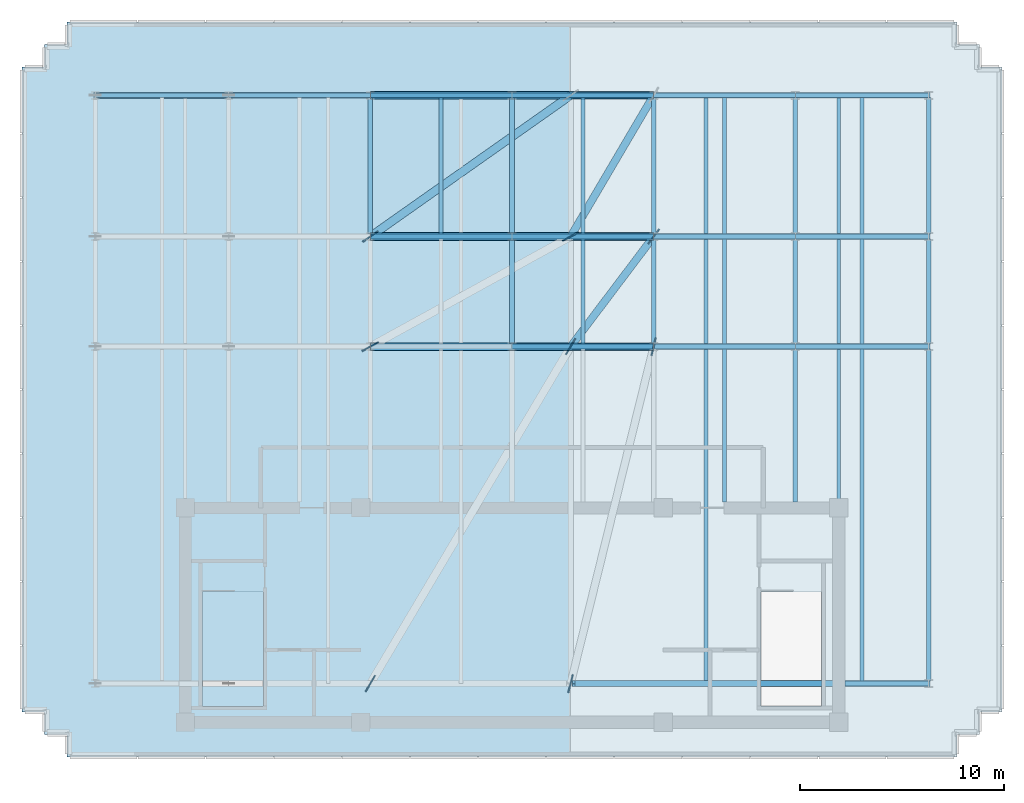
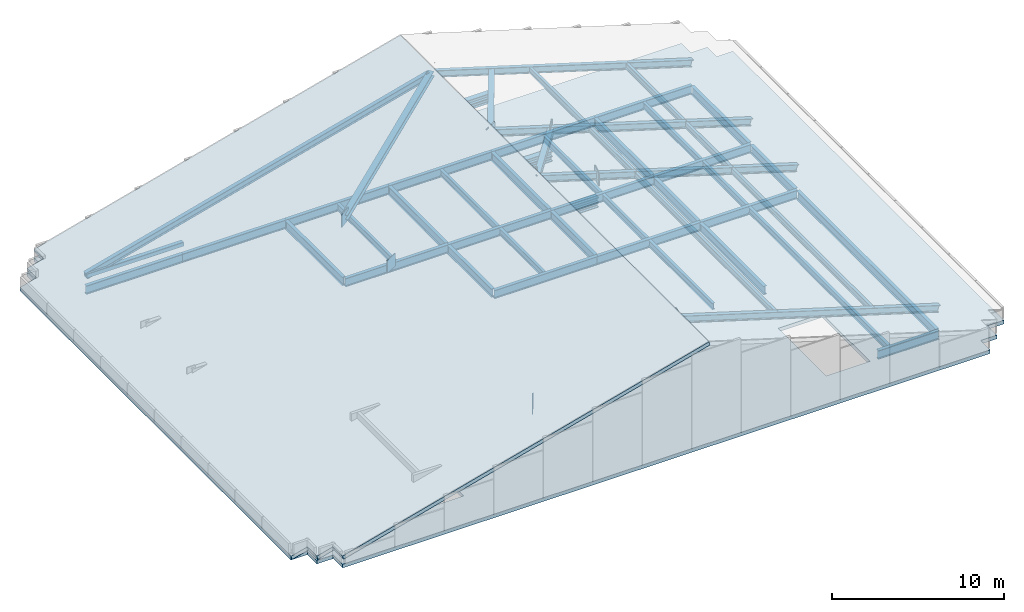
# One storey, part 2 of 6: 39 beams, 12 members, 8 plates, 2 slabs.
"""IFC4 building model written with IfcOpenShell, lengths in metres."""

import ifcopenshell
import ifcopenshell.guid

model = None  # the IFC model being written
_history = None  # IfcOwnerHistory: only IFC2X3 demands one
_inside = {}  # id of a spatial element -> (the spatial element, [elements in it])
_under = {}  # id of a project, library or spatial element -> (it, [spatial elements below it])
_declared = {}  # id of a project -> (the project, [libraries it declares])
_typed = {}  # id of a type object -> (the type object, [elements of that type])
_made_of = {}  # id of a material, layer set ... -> (it, [elements and type objects made of it])


def new_model(schema):
    """Start an empty IFC model of exactly this schema.

    Asked for "IFC4X3", IfcOpenShell would pick the latest addendum, in which some entities
    have other attributes; the version numbers below select the first issue.
    IFC2X3 requires an IfcOwnerHistory on every rooted entity: one is made here for all.
    """
    global model, _history
    if schema == "IFC4X3":
        model = ifcopenshell.file(schema_version=(4, 3, 0, 0))
    else:
        model = ifcopenshell.file(schema=schema)
    _inside.clear()
    _under.clear()
    _declared.clear()
    _typed.clear()
    _made_of.clear()
    _history = None
    if model.schema == "IFC2X3":
        org = make("IfcOrganization", Name="unknown")
        user = make(
            "IfcPersonAndOrganization",
            ThePerson=make("IfcPerson", FamilyName="unknown"),
            TheOrganization=org,
        )
        app = make(
            "IfcApplication",
            ApplicationDeveloper=org,
            Version="unknown",
            ApplicationFullName="unknown",
            ApplicationIdentifier="unknown",
        )
        _history = make(
            "IfcOwnerHistory",
            OwningUser=user,
            OwningApplication=app,
            ChangeAction="ADDED",
            CreationDate=0,
        )
    return model


def make(cls, **values):
    """One entity of the class cls with the attributes given. An attribute that is None is left unset."""
    return model.create_entity(
        cls, **{name: value for name, value in values.items() if value is not None}
    )


def rooted(cls, **values):
    """An entity with a GlobalId (a new one), such as an element, a storey or a relation."""
    return make(cls, GlobalId=ifcopenshell.guid.new(), OwnerHistory=_history, **values)


def si_unit(unit_type, name, prefix=None):
    """IfcSIUnit, for example si_unit("LENGTHUNIT", "METRE", prefix="MILLI")."""
    return make("IfcSIUnit", UnitType=unit_type, Prefix=prefix, Name=name)


def assignment(units):
    """IfcUnitAssignment: the units of a project."""
    return None if units is None else make("IfcUnitAssignment", Units=units)


def point(xyz):
    """IfcCartesianPoint."""
    return None if xyz is None else make("IfcCartesianPoint", Coordinates=xyz)


def direction(xyz):
    """IfcDirection."""
    return None if xyz is None else make("IfcDirection", DirectionRatios=xyz)


def frame(location, z_axis=None, x_axis=None):
    """IfcAxis2Placement3D, a coordinate frame: its origin and axes. An axis left out is left unset."""
    return make(
        "IfcAxis2Placement3D",
        Location=point(location),
        Axis=direction(z_axis),
        RefDirection=direction(x_axis),
    )


def frame_2d(location, x_axis=None):
    """IfcAxis2Placement2D, a coordinate frame in the plane: its origin and x axis."""
    return make(
        "IfcAxis2Placement2D", Location=point(location), RefDirection=direction(x_axis)
    )


def origin():
    """The frame at (0, 0, 0) with its axes left unset."""
    return frame((0.0, 0.0, 0.0))


def origin_2d():
    """The frame at (0, 0) in the plane with its x axis left unset."""
    return frame_2d((0.0, 0.0))


def place(relative_to, where):
    """IfcLocalPlacement: puts the frame where relative to a parent placement (None: the world)."""
    return make(
        "IfcLocalPlacement", PlacementRelTo=relative_to, RelativePlacement=where
    )


def context(
    kind, dimensions, precision=None, world=None, true_north=None, identifier=None
):
    """IfcGeometricRepresentationContext, for example the 3D "Model" context."""
    return make(
        "IfcGeometricRepresentationContext",
        ContextIdentifier=identifier,
        ContextType=kind,
        CoordinateSpaceDimension=dimensions,
        Precision=precision,
        WorldCoordinateSystem=world,
        TrueNorth=true_north,
    )


def subcontext(parent, identifier, kind, view, scale=None):
    """IfcGeometricRepresentationSubContext, for example "Body" below "Model"."""
    return make(
        "IfcGeometricRepresentationSubContext",
        ContextIdentifier=identifier,
        ContextType=kind,
        ParentContext=parent,
        TargetScale=scale,
        TargetView=view,
    )


def project(units=None, contexts=None):
    """IfcProject with its units and contexts."""
    return rooted(
        "IfcProject",
        Name="project",
        RepresentationContexts=contexts,
        UnitsInContext=assignment(units),
    )


def spatial(cls, under=None, at=None, **own):
    """A site, building, storey or space (cls), placed at a placement, below another one or the project."""
    s = rooted(cls, ObjectPlacement=at, **own)
    if under is not None:
        _under.setdefault(under.id(), (under, []))[1].append(s)
    return s


def polyline(points):
    """IfcPolyline through the points."""
    return make("IfcPolyline", Points=[point(p) for p in points])


def profile(cls, at=None, kind="AREA", **sizes):
    """A parametric profile (cls). Its sizes go by their IFC names, for example OverallWidth=200.0."""
    return make(cls, ProfileType=kind, Position=at, **sizes)


def rectangle(**sizes):
    """IfcRectangleProfileDef."""
    return profile("IfcRectangleProfileDef", **sizes)


def hollow_rectangle(**sizes):
    """IfcRectangleHollowProfileDef."""
    return profile("IfcRectangleHollowProfileDef", **sizes)


def i_section(**sizes):
    """IfcIShapeProfileDef."""
    return profile("IfcIShapeProfileDef", **sizes)


def outline(outer, holes=None, kind="AREA"):
    """IfcArbitraryClosedProfileDef: a profile drawn as a closed curve; with holes, ...WithVoids."""
    if holes is None:
        return make("IfcArbitraryClosedProfileDef", ProfileType=kind, OuterCurve=outer)
    return make(
        "IfcArbitraryProfileDefWithVoids",
        ProfileType=kind,
        OuterCurve=outer,
        InnerCurves=holes,
    )


def extrude(swept, where, along, depth):
    """IfcExtrudedAreaSolid: the profile swept, set in the frame where, extruded along a direction by depth."""
    return make(
        "IfcExtrudedAreaSolid",
        SweptArea=swept,
        Position=where,
        ExtrudedDirection=direction(along),
        Depth=depth,
    )


def shape(context_of_items, identifier, shape_type, items):
    """IfcShapeRepresentation: the items that make up one representation, for example the "Body"."""
    return make(
        "IfcShapeRepresentation",
        ContextOfItems=context_of_items,
        RepresentationIdentifier=identifier,
        RepresentationType=shape_type,
        Items=items,
    )


def material(Name=None, Category=None):
    """IfcMaterial."""
    return make("IfcMaterial", Name=Name, Category=Category)


def layer(
    of_material, thickness, ventilated=None, Name=None, Category=None, Priority=None
):
    """IfcMaterialLayer: one layer of a wall or slab, of a material (None: an air gap)."""
    return make(
        "IfcMaterialLayer",
        Material=of_material,
        LayerThickness=thickness,
        IsVentilated=ventilated,
        Name=Name,
        Category=Category,
        Priority=Priority,
    )


def layer_set(layers, Name=None):
    """IfcMaterialLayerSet."""
    return make("IfcMaterialLayerSet", MaterialLayers=layers, LayerSetName=Name)


def material_profile(
    of_material, cross_section, Name=None, Category=None, Priority=None
):
    """IfcMaterialProfile: a cross section and its material."""
    return make(
        "IfcMaterialProfile",
        Name=Name,
        Material=of_material,
        Profile=cross_section,
        Priority=Priority,
        Category=Category,
    )


def profile_set(profiles, Name=None, composite=None):
    """IfcMaterialProfileSet."""
    return make(
        "IfcMaterialProfileSet",
        Name=Name,
        MaterialProfiles=profiles,
        CompositeProfile=composite,
    )


def made_of(thing, what):
    """Note that an element or type object is made of a material, layer set ...; save() writes the relation."""
    if what is not None:
        _made_of.setdefault(what.id(), (what, []))[1].append(thing)
    return thing


def type_object(cls, material=None, **own):
    """A type object (cls), such as IfcWallType, which elements share."""
    return made_of(rooted(cls, **own), material)


def element(
    cls,
    number,
    at=None,
    inside=None,
    cuts=None,
    type_object=None,
    material=None,
    context=None,
    identifier="Body",
    shape_type=None,
    held_by="IfcProductDefinitionShape",
    body=None,
    shapes=None,
    **own,
):
    """One element of the class cls, such as IfcWall. Its Tag is "e" and its number.

    at: its placement. inside: the storey or other place that contains it. cuts: it is an
    opening in that element (IfcRelVoidsElement). A single representation is given by context,
    identifier, shape_type and body (its items); several are given by shapes. held_by: the class
    of the entity that holds the representations. save() writes the other relations.
    """
    e = rooted(cls, Tag="e%d" % number, ObjectPlacement=at, **own)
    if body is not None:
        shapes = [shape(context, identifier, shape_type, body)]
    if shapes is not None:
        e.Representation = make(held_by, Representations=shapes)
    if inside is not None:
        _inside.setdefault(inside.id(), (inside, []))[1].append(e)
    if cuts is not None:
        rooted(
            "IfcRelVoidsElement", RelatingBuildingElement=cuts, RelatedOpeningElement=e
        )
    if type_object is not None:
        _typed.setdefault(type_object.id(), (type_object, []))[1].append(e)
    return made_of(e, material)


def aggregate(whole, parts):
    """IfcRelAggregates: a whole, such as a stair, and the parts it consists of."""
    return rooted("IfcRelAggregates", RelatingObject=whole, RelatedObjects=parts)


def save(model, path):
    """Write the relations noted so far, then the file.

    IfcRelAggregates (storeys below a building ...), IfcRelContainedInSpatialStructure (elements
    in a storey), IfcRelDefinesByType, IfcRelAssociatesMaterial and IfcRelDeclares: one each for
    every whole, place, type object, material and project.
    """
    for whole, parts in _under.values():
        aggregate(whole, parts)
    for where, things in _inside.values():
        rooted(
            "IfcRelContainedInSpatialStructure",
            RelatedElements=things,
            RelatingStructure=where,
        )
    for kind, things in _typed.values():
        rooted("IfcRelDefinesByType", RelatedObjects=things, RelatingType=kind)
    for what, things in _made_of.values():
        rooted("IfcRelAssociatesMaterial", RelatedObjects=things, RelatingMaterial=what)
    for by, libraries in _declared.values():
        rooted("IfcRelDeclares", RelatingContext=by, RelatedDefinitions=libraries)
    model.write(path)


model = new_model("IFC4")

# Units and contexts
model_context = context("Model", 3, precision=1e-05, world=origin(), true_north=direction((0.0, 1.0)))
body_context = subcontext(model_context, "Body", "Model", "MODEL_VIEW")
ifc_project = project(units=[si_unit("LENGTHUNIT", "METRE"), si_unit("AREAUNIT", "SQUARE_METRE"), si_unit("VOLUMEUNIT", "CUBIC_METRE"), si_unit("PLANEANGLEUNIT", "RADIAN"), si_unit("MASSUNIT", "GRAM", prefix="KILO")], contexts=[model_context])

# Site, building, storey
site_placement = place(None, origin())
site = spatial("IfcSite", under=ifc_project, at=site_placement, CompositionType="ELEMENT")
building_placement = place(site_placement, origin())
building = spatial("IfcBuilding", under=site, at=building_placement, Name="Solmavex Isthmus Hotel", CompositionType="ELEMENT")
storey_placement = place(building_placement, frame((0.0, 0.0, 308.39990234375)))
storey = spatial("IfcBuildingStorey", under=building, at=storey_placement, Name="Roof", CompositionType="ELEMENT", Elevation=308.39990234375)

# Beams
ifc_material_1 = material(Name="Steel ASTM A992 Grade 50", Category="steel")
ifc_material_profile_1 = material_profile(ifc_material_1, i_section(OverallWidth=0.1904296875, OverallDepth=0.456787109375, WebThickness=0.009033203125, FlangeThickness=0.014404296875, FilletRadius=0.0126953125, at=origin_2d()), Name="W18X50")
ifc_profile_set_1 = profile_set([ifc_material_profile_1], Name="Steel ASTM A992 Grade 50")
beam_type_1 = type_object("IfcBeamType", Name="BM-BJ-W18X50", PredefinedType="JOIST", material=ifc_profile_set_1)
beam_1_placement = place(storey_placement, frame((-3.468017578125, 10.90185546875, -0.48828125), z_axis=(0.0, 1.0, 0.0), x_axis=(-1.0, 0.0, 0.0)))
element("IfcBeam", 1, at=beam_1_placement, inside=storey, type_object=beam_type_1, Name="Secondary Floor Joist Roof-J09", PredefinedType="JOIST", context=body_context, shape_type="SweptSolid", body=[
    extrude(i_section(OverallWidth=0.1904296875, OverallDepth=0.456787109375, WebThickness=0.009033203125, FlangeThickness=0.014404296875, FilletRadius=0.0126953125, at=origin_2d()), origin(), (0.0, 0.0, 1.0), 6.682861328125),
])
beam_2_placement = place(storey_placement, frame((3.468017578125, 5.513916015625, -0.48828125), z_axis=(0.0, 1.0, 0.0), x_axis=(-1.0, 0.0, 0.0)))
element("IfcBeam", 2, at=beam_2_placement, inside=storey, type_object=beam_type_1, Name="Secondary Floor Joist Roof-J11", PredefinedType="JOIST", context=body_context, shape_type="SweptSolid", body=[
    extrude(i_section(OverallWidth=0.1904296875, OverallDepth=0.456787109375, WebThickness=0.009033203125, FlangeThickness=0.014404296875, FilletRadius=0.0126953125, at=origin_2d()), origin(), (0.0, 0.0, 1.0), 5.16015625),
])
beam_3_placement = place(storey_placement, frame((3.468017578125, 10.90185546875, -0.48828125), z_axis=(0.0, 1.0, 0.0), x_axis=(-1.0, 0.0, 0.0)))
element("IfcBeam", 3, at=beam_3_placement, inside=storey, type_object=beam_type_1, Name="Secondary Floor Joist Roof-J12", PredefinedType="JOIST", context=body_context, shape_type="SweptSolid", body=[
    extrude(i_section(OverallWidth=0.1904296875, OverallDepth=0.456787109375, WebThickness=0.009033203125, FlangeThickness=0.014404296875, FilletRadius=0.0126953125, at=origin_2d()), origin(), (0.0, 0.0, 1.0), 6.682861328125),
])
beam_4_placement = place(storey_placement, frame((10.404052734375, -2.199951171875, -0.48828125), z_axis=(0.0, 1.0, 0.0), x_axis=(-1.0, 0.0, 0.0)))
element("IfcBeam", 4, at=beam_4_placement, inside=storey, type_object=beam_type_1, Name="Secondary Floor Joist Roof-J13", PredefinedType="JOIST", context=body_context, shape_type="SweptSolid", body=[
    extrude(i_section(OverallWidth=0.1904296875, OverallDepth=0.456787109375, WebThickness=0.009033203125, FlangeThickness=0.014404296875, FilletRadius=0.0126953125, at=origin_2d()), origin(), (0.0, 0.0, 1.0), 7.486083984375),
])
beam_5_placement = place(storey_placement, frame((10.404052734375, 5.513916015625, -0.48828125), z_axis=(0.0, 1.0, 0.0), x_axis=(-1.0, 0.0, 0.0)))
element("IfcBeam", 5, at=beam_5_placement, inside=storey, type_object=beam_type_1, Name="Secondary Floor Joist Roof-J14", PredefinedType="JOIST", context=body_context, shape_type="SweptSolid", body=[
    extrude(i_section(OverallWidth=0.1904296875, OverallDepth=0.456787109375, WebThickness=0.009033203125, FlangeThickness=0.014404296875, FilletRadius=0.0126953125, at=origin_2d()), origin(), (0.0, 0.0, 1.0), 5.16015625),
])
beam_6_placement = place(storey_placement, frame((10.404052734375, 10.90185546875, -0.48828125), z_axis=(0.0, 1.0, 0.0), x_axis=(-1.0, 0.0, 0.0)))
element("IfcBeam", 6, at=beam_6_placement, inside=storey, type_object=beam_type_1, Name="Secondary Floor Joist Roof-J15", PredefinedType="JOIST", context=body_context, shape_type="SweptSolid", body=[
    extrude(i_section(OverallWidth=0.1904296875, OverallDepth=0.456787109375, WebThickness=0.009033203125, FlangeThickness=0.014404296875, FilletRadius=0.0126953125, at=origin_2d()), origin(), (0.0, 0.0, 1.0), 6.682861328125),
])
beam_7_placement = place(storey_placement, frame((17.135986328125, -10.98486328125, -0.48828125), z_axis=(0.0, 1.0, 0.0), x_axis=(-1.0, 0.0, 0.0)))
element("IfcBeam", 7, at=beam_7_placement, inside=storey, type_object=beam_type_1, Name="Secondary Floor Joist Roof-J16", PredefinedType="JOIST", context=body_context, shape_type="SweptSolid", body=[
    extrude(i_section(OverallWidth=0.1904296875, OverallDepth=0.456787109375, WebThickness=0.009033203125, FlangeThickness=0.014404296875, FilletRadius=0.0126953125, at=origin_2d()), origin(), (0.0, 0.0, 1.0), 16.27099609375),
])
beam_8_placement = place(storey_placement, frame((17.135986328125, 5.513916015625, -0.48828125), z_axis=(0.0, 1.0, 0.0), x_axis=(-1.0, 0.0, 0.0)))
element("IfcBeam", 8, at=beam_8_placement, inside=storey, type_object=beam_type_1, Name="Secondary Floor Joist Roof-J17", PredefinedType="JOIST", context=body_context, shape_type="SweptSolid", body=[
    extrude(i_section(OverallWidth=0.1904296875, OverallDepth=0.456787109375, WebThickness=0.009033203125, FlangeThickness=0.014404296875, FilletRadius=0.0126953125, at=origin_2d()), origin(), (0.0, 0.0, 1.0), 5.16015625),
])
beam_9_placement = place(storey_placement, frame((17.135986328125, 10.90185546875, -0.48828125), z_axis=(0.0, 1.0, 0.0), x_axis=(-1.0, 0.0, 0.0)))
element("IfcBeam", 9, at=beam_9_placement, inside=storey, type_object=beam_type_1, Name="Secondary Floor Joist Roof-J18", PredefinedType="JOIST", context=body_context, shape_type="SweptSolid", body=[
    extrude(i_section(OverallWidth=0.1904296875, OverallDepth=0.456787109375, WebThickness=0.009033203125, FlangeThickness=0.014404296875, FilletRadius=0.0126953125, at=origin_2d()), origin(), (0.0, 0.0, 1.0), 6.682861328125),
])
ifc_material_profile_2 = material_profile(ifc_material_1, i_section(OverallWidth=0.280517578125, OverallDepth=0.462890625, WebThickness=0.0107421875, FlangeThickness=0.017333984375, FilletRadius=0.0126953125, at=origin_2d()), Name="W18X76")
ifc_profile_set_2 = profile_set([ifc_material_profile_2], Name="Steel ASTM A992 Grade 50")
beam_type_2 = type_object("IfcBeamType", Name="BM-BM-W18X76", PredefinedType="BEAM", material=ifc_profile_set_2)
for number, where, z_axis, x_axis, name in (
    (10, (3.015869140625, -11.10009765625, 6.632568359375), (0.956303078087, 0.0, -0.292377192753), (0.0, 1.0, 0.0), "Crown East Sloped Rafter E1"),
    (11, (3.015869140625, 5.39990234375, 6.632568359375), (0.956303078087, 0.0, -0.292377192753), (0.0, 1.0, 0.0), "Crown East Sloped Rafter E2"),
    (12, (3.015869140625, 10.7880859375, 6.632568359375), (0.956303078087, 0.0, -0.292377192753), (0.0, 1.0, 0.0), "Crown East Sloped Rafter E3"),
):
    element("IfcBeam", number, at=place(storey_placement, frame(where, z_axis=z_axis, x_axis=x_axis)), inside=storey, type_object=beam_type_2, Name=name, PredefinedType="BEAM", context=body_context, shape_type="SweptSolid", body=[
        extrude(i_section(OverallWidth=0.280517578125, OverallDepth=0.462890625, WebThickness=0.0107421875, FlangeThickness=0.017333984375, FilletRadius=0.0126953125, at=origin_2d()), origin(), (0.0, 0.0, 1.0), 18.178466796875),
    ])
beam_10_placement = place(storey_placement, frame((-20.39990234375, 17.699951171875, 0.444091796875), z_axis=(0.965925702275, 0.0, 0.258819507928), x_axis=(0.0, 1.0, 0.0)))
element("IfcBeam", 13, at=beam_10_placement, inside=storey, type_object=beam_type_2, Name="Crown West Sloped Rafter W4", PredefinedType="BEAM", context=body_context, shape_type="SweptSolid", body=[
    extrude(i_section(OverallWidth=0.280517578125, OverallDepth=0.462890625, WebThickness=0.0107421875, FlangeThickness=0.017333984375, FilletRadius=0.0126953125, at=origin_2d()), origin(), (0.0, 0.0, 1.0), 23.94140625),
])
beam_11_placement = place(storey_placement, frame((3.015869140625, 17.699951171875, 6.632568359375), z_axis=(0.956303078087, 0.0, -0.292377192753), x_axis=(0.0, 1.0, 0.0)))
element("IfcBeam", 14, at=beam_11_placement, inside=storey, type_object=beam_type_2, Name="Crown East Sloped Rafter E4", PredefinedType="BEAM", context=body_context, shape_type="SweptSolid", body=[
    extrude(i_section(OverallWidth=0.280517578125, OverallDepth=0.462890625, WebThickness=0.0107421875, FlangeThickness=0.017333984375, FilletRadius=0.0126953125, at=origin_2d()), origin(), (0.0, 0.0, 1.0), 18.178466796875),
])
ifc_material_profile_3 = material_profile(ifc_material_1, i_section(OverallWidth=0.227783203125, OverallDepth=0.602783203125, WebThickness=0.010498046875, FlangeThickness=0.014892578125, FilletRadius=0.01513671875, at=origin_2d()), Name="W24X68")
ifc_profile_set_3 = profile_set([ifc_material_profile_3], Name="Steel ASTM A992 Grade 50")
beam_type_3 = type_object("IfcBeamType", Name="BM-BM-W24X68", PredefinedType="BEAM", material=ifc_profile_set_3)
for number, where, z_axis, x_axis, name in (
    (15, (0.0, 5.39990234375, -0.561279296875), (1.0, 0.0, 0.0), (0.0, 1.0, 0.0), "Floor Girder Roof-UG06"),
    (16, (6.93603515625, 5.39990234375, -0.561279296875), (1.0, 0.0, 0.0), (0.0, 1.0, 0.0), "Floor Girder Roof-UG07"),
):
    element("IfcBeam", number, at=place(storey_placement, frame(where, z_axis=z_axis, x_axis=x_axis)), inside=storey, type_object=beam_type_3, Name=name, PredefinedType="BEAM", context=body_context, shape_type="SweptSolid", body=[
        extrude(i_section(OverallWidth=0.227783203125, OverallDepth=0.602783203125, WebThickness=0.010498046875, FlangeThickness=0.014892578125, FilletRadius=0.01513671875, at=origin_2d()), origin(), (0.0, 0.0, 1.0), 6.93603515625),
    ])
beam_12_placement = place(storey_placement, frame((13.8720703125, 5.39990234375, -0.561279296875), z_axis=(1.0, 0.0, 0.0), x_axis=(0.0, 1.0, 0.0)))
element("IfcBeam", 17, at=beam_12_placement, inside=storey, type_object=beam_type_3, Name="Floor Girder Roof-UG08", PredefinedType="BEAM", context=body_context, shape_type="SweptSolid", body=[
    extrude(i_section(OverallWidth=0.227783203125, OverallDepth=0.602783203125, WebThickness=0.010498046875, FlangeThickness=0.014892578125, FilletRadius=0.01513671875, at=origin_2d()), origin(), (0.0, 0.0, 1.0), 6.52783203125),
])
for number, where, z_axis, x_axis, name in (
    (18, (-6.93603515625, 10.7880859375, -0.561279296875), (1.0, 0.0, 0.0), (0.0, 1.0, 0.0), "Floor Girder Roof-UG11"),
    (19, (0.0, 10.7880859375, -0.561279296875), (1.0, 0.0, 0.0), (0.0, 1.0, 0.0), "Floor Girder Roof-UG12"),
    (20, (6.93603515625, 10.7880859375, -0.561279296875), (1.0, 0.0, 0.0), (0.0, 1.0, 0.0), "Floor Girder Roof-UG13"),
):
    element("IfcBeam", number, at=place(storey_placement, frame(where, z_axis=z_axis, x_axis=x_axis)), inside=storey, type_object=beam_type_3, Name=name, PredefinedType="BEAM", context=body_context, shape_type="SweptSolid", body=[
        extrude(i_section(OverallWidth=0.227783203125, OverallDepth=0.602783203125, WebThickness=0.010498046875, FlangeThickness=0.014892578125, FilletRadius=0.01513671875, at=origin_2d()), origin(), (0.0, 0.0, 1.0), 6.93603515625),
    ])
beam_13_placement = place(storey_placement, frame((13.8720703125, 10.7880859375, -0.561279296875), z_axis=(1.0, 0.0, 0.0), x_axis=(0.0, 1.0, 0.0)))
element("IfcBeam", 21, at=beam_13_placement, inside=storey, type_object=beam_type_3, Name="Floor Girder Roof-UG14", PredefinedType="BEAM", context=body_context, shape_type="SweptSolid", body=[
    extrude(i_section(OverallWidth=0.227783203125, OverallDepth=0.602783203125, WebThickness=0.010498046875, FlangeThickness=0.014892578125, FilletRadius=0.01513671875, at=origin_2d()), origin(), (0.0, 0.0, 1.0), 6.52783203125),
])
beam_14_placement = place(storey_placement, frame((-6.93603515625, 10.90185546875, -0.561279296875), z_axis=(0.0, 1.0, 0.0), x_axis=(-1.0, 0.0, 0.0)))
element("IfcBeam", 22, at=beam_14_placement, inside=storey, type_object=beam_type_3, Name="Floor Beam Roof-VG29", PredefinedType="BEAM", context=body_context, shape_type="SweptSolid", body=[
    extrude(i_section(OverallWidth=0.227783203125, OverallDepth=0.602783203125, WebThickness=0.010498046875, FlangeThickness=0.014892578125, FilletRadius=0.01513671875, at=origin_2d()), origin(), (0.0, 0.0, 1.0), 6.682861328125),
])
beam_15_placement = place(storey_placement, frame((0.0, 5.513916015625, -0.561279296875), z_axis=(0.0, 1.0, 0.0), x_axis=(-1.0, 0.0, 0.0)))
element("IfcBeam", 23, at=beam_15_placement, inside=storey, type_object=beam_type_3, Name="Floor Beam Roof-VG31", PredefinedType="BEAM", context=body_context, shape_type="SweptSolid", body=[
    extrude(i_section(OverallWidth=0.227783203125, OverallDepth=0.602783203125, WebThickness=0.010498046875, FlangeThickness=0.014892578125, FilletRadius=0.01513671875, at=origin_2d()), origin(), (0.0, 0.0, 1.0), 5.16015625),
])
beam_16_placement = place(storey_placement, frame((0.0, 10.90185546875, -0.561279296875), z_axis=(0.0, 1.0, 0.0), x_axis=(-1.0, 0.0, 0.0)))
element("IfcBeam", 24, at=beam_16_placement, inside=storey, type_object=beam_type_3, Name="Floor Beam Roof-VG32", PredefinedType="BEAM", context=body_context, shape_type="SweptSolid", body=[
    extrude(i_section(OverallWidth=0.227783203125, OverallDepth=0.602783203125, WebThickness=0.010498046875, FlangeThickness=0.014892578125, FilletRadius=0.01513671875, at=origin_2d()), origin(), (0.0, 0.0, 1.0), 6.682861328125),
])
beam_17_placement = place(storey_placement, frame((6.93603515625, 5.513916015625, -0.561279296875), z_axis=(0.0, 1.0, 0.0), x_axis=(-1.0, 0.0, 0.0)))
element("IfcBeam", 25, at=beam_17_placement, inside=storey, type_object=beam_type_3, Name="Floor Beam Roof-VG34", PredefinedType="BEAM", context=body_context, shape_type="SweptSolid", body=[
    extrude(i_section(OverallWidth=0.227783203125, OverallDepth=0.602783203125, WebThickness=0.010498046875, FlangeThickness=0.014892578125, FilletRadius=0.01513671875, at=origin_2d()), origin(), (0.0, 0.0, 1.0), 5.16015625),
])
beam_18_placement = place(storey_placement, frame((6.93603515625, 10.90185546875, -0.561279296875), z_axis=(0.0, 1.0, 0.0), x_axis=(-1.0, 0.0, 0.0)))
element("IfcBeam", 26, at=beam_18_placement, inside=storey, type_object=beam_type_3, Name="Floor Beam Roof-VG35", PredefinedType="BEAM", context=body_context, shape_type="SweptSolid", body=[
    extrude(i_section(OverallWidth=0.227783203125, OverallDepth=0.602783203125, WebThickness=0.010498046875, FlangeThickness=0.014892578125, FilletRadius=0.01513671875, at=origin_2d()), origin(), (0.0, 0.0, 1.0), 6.682861328125),
])
beam_19_placement = place(storey_placement, frame((13.8720703125, -2.199951171875, -0.561279296875), z_axis=(0.0, 1.0, 0.0), x_axis=(-1.0, 0.0, 0.0)))
element("IfcBeam", 27, at=beam_19_placement, inside=storey, type_object=beam_type_3, Name="Floor Beam Roof-VG36", PredefinedType="BEAM", context=body_context, shape_type="SweptSolid", body=[
    extrude(i_section(OverallWidth=0.227783203125, OverallDepth=0.602783203125, WebThickness=0.010498046875, FlangeThickness=0.014892578125, FilletRadius=0.01513671875, at=origin_2d()), origin(), (0.0, 0.0, 1.0), 7.486083984375),
])
beam_20_placement = place(storey_placement, frame((13.8720703125, 5.513916015625, -0.561279296875), z_axis=(0.0, 1.0, 0.0), x_axis=(-1.0, 0.0, 0.0)))
element("IfcBeam", 28, at=beam_20_placement, inside=storey, type_object=beam_type_3, Name="Floor Beam Roof-VG37", PredefinedType="BEAM", context=body_context, shape_type="SweptSolid", body=[
    extrude(i_section(OverallWidth=0.227783203125, OverallDepth=0.602783203125, WebThickness=0.010498046875, FlangeThickness=0.014892578125, FilletRadius=0.01513671875, at=origin_2d()), origin(), (0.0, 0.0, 1.0), 5.16015625),
])
beam_21_placement = place(storey_placement, frame((13.8720703125, 10.90185546875, -0.561279296875), z_axis=(0.0, 1.0, 0.0), x_axis=(-1.0, 0.0, 0.0)))
element("IfcBeam", 29, at=beam_21_placement, inside=storey, type_object=beam_type_3, Name="Floor Beam Roof-VG38", PredefinedType="BEAM", context=body_context, shape_type="SweptSolid", body=[
    extrude(i_section(OverallWidth=0.227783203125, OverallDepth=0.602783203125, WebThickness=0.010498046875, FlangeThickness=0.014892578125, FilletRadius=0.01513671875, at=origin_2d()), origin(), (0.0, 0.0, 1.0), 6.682861328125),
])
ifc_material_profile_4 = material_profile(ifc_material_1, i_section(OverallWidth=0.230224609375, OverallDepth=0.617431640625, WebThickness=0.01318359375, FlangeThickness=0.022216796875, FilletRadius=0.01513671875, at=origin_2d()), Name="W24X94")
ifc_profile_set_4 = profile_set([ifc_material_profile_4], Name="Steel ASTM A992 Grade 50")
beam_type_4 = type_object("IfcBeamType", Name="BM-SP-W24X94", PredefinedType="SPANDREL", material=ifc_profile_set_4)
beam_22_placement = place(storey_placement, frame((16.300048828125, -11.10009765625, -0.568603515625), z_axis=(1.0, 0.0, 0.0), x_axis=(0.0, 1.0, 0.0)))
element("IfcBeam", 30, at=beam_22_placement, inside=storey, type_object=beam_type_4, Name="Floor Girder Roof-UG02", PredefinedType="SPANDREL", context=body_context, shape_type="SweptSolid", body=[
    extrude(i_section(OverallWidth=0.230224609375, OverallDepth=0.617431640625, WebThickness=0.01318359375, FlangeThickness=0.022216796875, FilletRadius=0.01513671875, at=origin_2d()), origin(), (0.0, 0.0, 1.0), 4.099853515625),
])
beam_23_placement = place(storey_placement, frame((-20.39990234375, 17.699951171875, -0.568603515625), z_axis=(1.0, 0.0, 0.0), x_axis=(0.0, 1.0, 0.0)))
element("IfcBeam", 31, at=beam_23_placement, inside=storey, type_object=beam_type_4, Name="Floor Girder Roof-UG15", PredefinedType="SPANDREL", context=body_context, shape_type="SweptSolid", body=[
    extrude(i_section(OverallWidth=0.230224609375, OverallDepth=0.617431640625, WebThickness=0.01318359375, FlangeThickness=0.022216796875, FilletRadius=0.01513671875, at=origin_2d()), origin(), (0.0, 0.0, 1.0), 6.52783203125),
])
for number, where, z_axis, x_axis, name in (
    (32, (-13.8720703125, 17.699951171875, -0.568603515625), (1.0, 0.0, 0.0), (0.0, 1.0, 0.0), "Floor Girder Roof-UG16"),
    (33, (-6.93603515625, 17.699951171875, -0.568603515625), (1.0, 0.0, 0.0), (0.0, 1.0, 0.0), "Floor Girder Roof-UG17"),
    (34, (0.0, 17.699951171875, -0.568603515625), (1.0, 0.0, 0.0), (0.0, 1.0, 0.0), "Floor Girder Roof-UG18"),
    (35, (6.93603515625, 17.699951171875, -0.568603515625), (1.0, 0.0, 0.0), (0.0, 1.0, 0.0), "Floor Girder Roof-UG19"),
):
    element("IfcBeam", number, at=place(storey_placement, frame(where, z_axis=z_axis, x_axis=x_axis)), inside=storey, type_object=beam_type_4, Name=name, PredefinedType="SPANDREL", context=body_context, shape_type="SweptSolid", body=[
        extrude(i_section(OverallWidth=0.230224609375, OverallDepth=0.617431640625, WebThickness=0.01318359375, FlangeThickness=0.022216796875, FilletRadius=0.01513671875, at=origin_2d()), origin(), (0.0, 0.0, 1.0), 6.93603515625),
    ])
beam_24_placement = place(storey_placement, frame((13.8720703125, 17.699951171875, -0.568603515625), z_axis=(1.0, 0.0, 0.0), x_axis=(0.0, 1.0, 0.0)))
element("IfcBeam", 36, at=beam_24_placement, inside=storey, type_object=beam_type_4, Name="Floor Girder Roof-UG20", PredefinedType="SPANDREL", context=body_context, shape_type="SweptSolid", body=[
    extrude(i_section(OverallWidth=0.230224609375, OverallDepth=0.617431640625, WebThickness=0.01318359375, FlangeThickness=0.022216796875, FilletRadius=0.01513671875, at=origin_2d()), origin(), (0.0, 0.0, 1.0), 6.52783203125),
])
beam_25_placement = place(storey_placement, frame((20.39990234375, -10.98486328125, -0.568603515625), z_axis=(0.0, 1.0, 0.0), x_axis=(-1.0, 0.0, 0.0)))
element("IfcBeam", 37, at=beam_25_placement, inside=storey, type_object=beam_type_4, Name="Floor Beam Roof-VG39", PredefinedType="SPANDREL", context=body_context, shape_type="SweptSolid", body=[
    extrude(i_section(OverallWidth=0.230224609375, OverallDepth=0.617431640625, WebThickness=0.01318359375, FlangeThickness=0.022216796875, FilletRadius=0.01513671875, at=origin_2d()), origin(), (0.0, 0.0, 1.0), 16.27099609375),
])
beam_26_placement = place(storey_placement, frame((20.39990234375, 5.513916015625, -0.568603515625), z_axis=(0.0, 1.0, 0.0), x_axis=(-1.0, 0.0, 0.0)))
element("IfcBeam", 38, at=beam_26_placement, inside=storey, type_object=beam_type_4, Name="Floor Beam Roof-VG40", PredefinedType="SPANDREL", context=body_context, shape_type="SweptSolid", body=[
    extrude(i_section(OverallWidth=0.230224609375, OverallDepth=0.617431640625, WebThickness=0.01318359375, FlangeThickness=0.022216796875, FilletRadius=0.01513671875, at=origin_2d()), origin(), (0.0, 0.0, 1.0), 5.16015625),
])
beam_27_placement = place(storey_placement, frame((20.39990234375, 10.90185546875, -0.568603515625), z_axis=(0.0, 1.0, 0.0), x_axis=(-1.0, 0.0, 0.0)))
element("IfcBeam", 39, at=beam_27_placement, inside=storey, type_object=beam_type_4, Name="Floor Beam Roof-VG41", PredefinedType="SPANDREL", context=body_context, shape_type="SweptSolid", body=[
    extrude(i_section(OverallWidth=0.230224609375, OverallDepth=0.617431640625, WebThickness=0.01318359375, FlangeThickness=0.022216796875, FilletRadius=0.01513671875, at=origin_2d()), origin(), (0.0, 0.0, 1.0), 6.682861328125),
])

# Members
ifc_material_profile_5 = material_profile(ifc_material_1, i_section(OverallWidth=0.177734375, OverallDepth=0.40673828125, WebThickness=0.0078125, FlangeThickness=0.0126953125, FilletRadius=0.0126953125, at=origin_2d()), Name="W16X40")
ifc_profile_set_5 = profile_set([ifc_material_profile_5], Name="Steel ASTM A992 Grade 50")
member_type_1 = type_object("IfcMemberType", Name="MEM-BP-W16X40", PredefinedType="PURLIN", material=ifc_profile_set_5)
for number, where, z_axis, x_axis, name in (
    (40, (9.5, -11.10009765625, 4.668212890625), (0.0, 1.0, 0.0), (-1.0, 0.0, 0.0), "Crown Roof Purlin PUR-04"),
    (41, (16.0, -11.10009765625, 2.680908203125), (0.0, 1.0, 0.0), (-1.0, 0.0, 0.0), "Crown Roof Purlin PUR-05"),
):
    element("IfcMember", number, at=place(storey_placement, frame(where, z_axis=z_axis, x_axis=x_axis)), inside=storey, type_object=member_type_1, Name=name, PredefinedType="PURLIN", context=body_context, shape_type="SweptSolid", body=[
        extrude(i_section(OverallWidth=0.177734375, OverallDepth=0.40673828125, WebThickness=0.0078125, FlangeThickness=0.0126953125, FilletRadius=0.0126953125, at=origin_2d()), origin(), (0.0, 0.0, 1.0), 28.800048828125),
    ])
ifc_material_2 = material(Name="Steel ASTM A913 Grade 65", Category="steel")
ifc_material_profile_6 = material_profile(ifc_material_2, i_section(OverallWidth=0.37255859375, OverallDepth=0.367919921875, WebThickness=0.014892578125, FlangeThickness=0.02392578125, FilletRadius=0.030517578125, at=origin_2d()), Name="W14X120")
ifc_profile_set_6 = profile_set([ifc_material_profile_6], Name="Steel ASTM A913 Grade 65")
member_type_2 = type_object("IfcMemberType", Name="MEM-CT-W14X120", PredefinedType="COLLAR", material=ifc_profile_set_6)
for number, where, z_axis, x_axis, name in (
    (42, (-6.93603515625, 5.39990234375, 3.80029296875), (1.0, 0.0, 0.0), (0.0, 1.0, 0.0), "Crown Ridge Collar Tie CT-02A"),
    (43, (-6.93603515625, 5.39990234375, 3.48046875), (1.0, 0.0, 0.0), (0.0, 1.0, 0.0), "Crown Ridge Collar Tie CT-02B"),
    (44, (-6.93603515625, 10.7880859375, 3.80029296875), (1.0, 0.0, 0.0), (0.0, 1.0, 0.0), "Crown Ridge Collar Tie CT-03A"),
    (45, (-6.93603515625, 10.7880859375, 3.48046875), (1.0, 0.0, 0.0), (0.0, 1.0, 0.0), "Crown Ridge Collar Tie CT-03B"),
    (46, (-6.93603515625, 17.699951171875, 3.80029296875), (1.0, 0.0, 0.0), (0.0, 1.0, 0.0), "Crown Ridge Collar Tie CT-04A"),
    (47, (-6.93603515625, 17.699951171875, 3.48046875), (1.0, 0.0, 0.0), (0.0, 1.0, 0.0), "Crown Ridge Collar Tie CT-04B"),
):
    element("IfcMember", number, at=place(storey_placement, frame(where, z_axis=z_axis, x_axis=x_axis)), inside=storey, type_object=member_type_2, Name=name, PredefinedType="COLLAR", context=body_context, shape_type="SweptSolid", body=[
        extrude(i_section(OverallWidth=0.37255859375, OverallDepth=0.367919921875, WebThickness=0.014892578125, FlangeThickness=0.02392578125, FilletRadius=0.030517578125, at=origin_2d()), origin(), (0.0, 0.0, 1.0), 13.8720703125),
    ])
ifc_material_3 = material(Name="Steel ASTM A500 Grade C", Category="steel")
ifc_material_profile_7 = material_profile(ifc_material_3, hollow_rectangle(XDim=0.300048828125, YDim=0.300048828125, WallThickness=0.012451171875, InnerFilletRadius=0.018798828125, OuterFilletRadius=0.03125, at=origin_2d()), Name="HSS300X300X12")
ifc_profile_set_7 = profile_set([ifc_material_profile_7], Name="Steel ASTM A500 Grade C")
member_type_3 = type_object("IfcMemberType", Name="MEM-HS-300X12", PredefinedType="STRUT", material=ifc_profile_set_7)
member_1_placement = place(storey_placement, frame((-20.39990234375, 17.699951171875, 0.4501953125), z_axis=(1.0, 0.0, 0.0), x_axis=(0.0, 1.0, 0.0)))
element("IfcMember", 48, at=member_1_placement, inside=storey, type_object=member_type_3, Name="Crown Screen Frame Hollow Strut HS-06", PredefinedType="STRUT", context=body_context, shape_type="SweptSolid", body=[
    extrude(hollow_rectangle(XDim=0.300048828125, YDim=0.300048828125, WallThickness=0.012451171875, InnerFilletRadius=0.018798828125, OuterFilletRadius=0.03125, at=origin_2d()), origin(), (0.0, 0.0, 1.0), 6.52783203125),
])
ifc_material_profile_8 = material_profile(ifc_material_2, i_section(OverallWidth=0.3974609375, OverallDepth=0.38671875, WebThickness=0.02099609375, FlangeThickness=0.033203125, FilletRadius=0.030517578125, at=origin_2d()), Name="W14X176")
ifc_profile_set_8 = profile_set([ifc_material_profile_8], Name="Steel ASTM A913 Grade 65")
member_type_4 = type_object("IfcMemberType", Name="MEM-TM-W14X176", PredefinedType="BRACE", material=ifc_profile_set_8)
member_2_placement = place(storey_placement, frame((-6.93603515625, 10.7880859375, 4.0517578125), z_axis=(0.798180773122, 0.562555599289, 0.215496290286), x_axis=(-0.576091055128, 0.81738552483, 0.0)))
element("IfcMember", 49, at=member_2_placement, inside=storey, type_object=member_type_4, Name="Crown Wind Brace WB-03", PredefinedType="BRACE", context=body_context, shape_type="SweptSolid", body=[
    extrude(i_section(OverallWidth=0.3974609375, OverallDepth=0.38671875, WebThickness=0.02099609375, FlangeThickness=0.033203125, FilletRadius=0.030517578125, at=origin_2d()), origin(), (0.0, 0.0, 1.0), 12.28662109375),
])
ifc_material_profile_9 = material_profile(ifc_material_2, i_section(OverallWidth=0.368896484375, OverallDepth=0.356201171875, WebThickness=0.01123046875, FlangeThickness=0.01806640625, FilletRadius=0.030517578125, at=origin_2d()), Name="W14X90")
ifc_profile_set_9 = profile_set([ifc_material_profile_9], Name="Steel ASTM A913 Grade 65")
member_type_5 = type_object("IfcMemberType", Name="MEM-TS-W14X90", PredefinedType="STRUT", material=ifc_profile_set_9)
member_3_placement = place(storey_placement, frame((2.870849609375, 5.39990234375, 6.699462890625), z_axis=(0.591961124278, 0.784612456478, -0.184296827113), x_axis=(-0.798286601333, 0.602277761613, 0.0)))
element("IfcMember", 50, at=member_3_placement, inside=storey, type_object=member_type_5, Name="Crown Roof Strut ST-02", PredefinedType="STRUT", context=body_context, shape_type="SweptSolid", body=[
    extrude(i_section(OverallWidth=0.368896484375, OverallDepth=0.356201171875, WebThickness=0.01123046875, FlangeThickness=0.01806640625, FilletRadius=0.030517578125, at=origin_2d()), origin(), (0.0, 0.0, 1.0), 6.867431640625),
])
member_4_placement = place(storey_placement, frame((2.870849609375, 10.7880859375, 6.699462890625), z_axis=(0.500763864868, 0.851427888912, -0.155904142422), x_axis=(-0.861967868656, 0.506962911271, 0.0)))
element("IfcMember", 51, at=member_4_placement, inside=storey, type_object=member_type_5, Name="Crown Roof Strut ST-03", PredefinedType="STRUT", context=body_context, shape_type="SweptSolid", body=[
    extrude(i_section(OverallWidth=0.368896484375, OverallDepth=0.356201171875, WebThickness=0.01123046875, FlangeThickness=0.01806640625, FilletRadius=0.030517578125, at=origin_2d()), origin(), (0.0, 0.0, 1.0), 8.117919921875),
])

# Plates
ifc_material_4 = material(Name="Steel ASTM A572 Grade 50", Category="steel")
ifc_layer_1 = layer(ifc_material_4, 0.06005859375)
ifc_layer_set_1 = layer_set([ifc_layer_1], Name="Steel ASTM A572 Grade 50")
plate_type = type_object("IfcPlateType", Name="PLT-GUSSET-60", PredefinedType="USERDEFINED", material=ifc_layer_set_1)
for number, where, z_axis, x_axis, name in (
    (52, (-6.93603515625, -11.10009765625, 3.601806640625), (0.0, 0.0, 1.0), (0.51091805063, 0.85962942338, 0.0), "Crown Brace Gusset Plate 001"),
    (53, (2.870849609375, 5.39990234375, 6.24951171875), (0.0, 0.0, 1.0), (0.51091805063, 0.85962942338, 0.0), "Crown Brace Gusset Plate 002"),
    (54, (2.870849609375, -11.10009765625, 6.24951171875), (0.0, 0.0, 1.0), (0.239228325565, 0.970963340321, 0.0), "Crown Strut Gusset Plate 003"),
    (55, (6.93603515625, 5.39990234375, 4.98388671875), (0.0, 0.0, 1.0), (0.239228325565, 0.970963340321, 0.0), "Crown Strut Gusset Plate 004"),
    (56, (-6.93603515625, 5.39990234375, 3.601806640625), (0.0, 0.0, 1.0), (0.876432772829, 0.481524241043, 0.0), "Crown Brace Gusset Plate 005"),
    (57, (2.870849609375, 10.7880859375, 6.24951171875), (0.0, 0.0, 1.0), (0.876432772829, 0.481524241043, 0.0), "Crown Brace Gusset Plate 006"),
    (58, (6.93603515625, 10.7880859375, 4.98388671875), (0.0, 0.0, 1.0), (0.602288837015, 0.79827824523, 0.0), "Crown Strut Gusset Plate 007"),
    (59, (-6.93603515625, 10.7880859375, 3.601806640625), (0.0, 0.0, 1.0), (0.817376227253, 0.576104246749, 0.0), "Crown Brace Gusset Plate 008"),
):
    element("IfcPlate", number, at=place(storey_placement, frame(where, z_axis=z_axis, x_axis=x_axis)), inside=storey, type_object=plate_type, Name=name, ObjectType="GUSSET_PLATE", PredefinedType="USERDEFINED", context=body_context, shape_type="SweptSolid", body=[
        extrude(rectangle(XDim=0.89990234375, YDim=0.06005859375, at=origin_2d()), origin(), (0.0, 0.0, 1.0), 0.89990234375),
    ])

# Slabs
ifc_material_5 = material(Name="Concrete C40/50", Category="concrete")
ifc_layer_2 = layer(ifc_material_5, 0.260009765625)
ifc_layer_set_2 = layer_set([ifc_layer_2], Name="Concrete C40/50")
slab_type_1 = type_object("IfcSlabType", Name="SLAB-CDK-260", PredefinedType="FLOOR", material=ifc_layer_set_2)
slab_1_placement = place(storey_placement, frame((0.0, 0.0, -0.260009765625)))
element("IfcSlab", 60, at=slab_1_placement, inside=storey, type_object=slab_type_1, Name="Crown Attic Structural Collar Slab", PredefinedType="FLOOR", context=body_context, shape_type="SweptSolid", body=[
    extrude(outline(polyline([(-20.699951171875, -14.699951171875), (20.699951171875, -14.699951171875), (21.800048828125, -14.699951171875), (21.800048828125, -13.60009765625), (22.89990234375, -13.60009765625), (22.89990234375, -12.5), (24.0, -12.5), (24.0, -11.39990234375), (24.0, 18.0), (24.0, 19.10009765625), (22.89990234375, 19.10009765625), (22.89990234375, 20.199951171875), (21.800048828125, 20.199951171875), (21.800048828125, 21.300048828125), (20.699951171875, 21.300048828125), (-20.699951171875, 21.300048828125), (-21.800048828125, 21.300048828125), (-21.800048828125, 20.199951171875), (-22.89990234375, 20.199951171875), (-22.89990234375, 19.10009765625), (-24.0, 19.10009765625), (-24.0, 18.0), (-24.0, -11.39990234375), (-24.0, -12.5), (-22.89990234375, -12.5), (-22.89990234375, -13.60009765625), (-21.800048828125, -13.60009765625), (-21.800048828125, -14.699951171875), (-20.699951171875, -14.699951171875)]), holes=[polyline([(-15.14990234375, -6.617919921875), (-15.14990234375, -12.199951171875), (-12.199951171875, -12.199951171875), (-12.199951171875, -6.617919921875), (-15.14990234375, -6.617919921875)]), polyline([(12.199951171875, -6.617919921875), (12.199951171875, -12.199951171875), (15.14990234375, -12.199951171875), (15.14990234375, -6.617919921875), (12.199951171875, -6.617919921875)])]), origin(), (0.0, 0.0, 1.0), 0.260009765625),
])
ifc_layer_3 = layer(ifc_material_5, 0.260009765625)
ifc_layer_set_3 = layer_set([ifc_layer_3], Name="Concrete C40/50")
slab_type_2 = type_object("IfcSlabType", Name="SLAB-ROOF-260", PredefinedType="ROOF", material=ifc_layer_set_3)
slab_2_placement = place(storey_placement, frame((2.870849609375, -14.699951171875, 7.2001953125), z_axis=(-0.258824316379, 0.0, 0.965924413839), x_axis=(0.0, 1.0, 0.0)))
element("IfcSlab", 61, at=slab_2_placement, inside=storey, type_object=slab_type_2, Name="Sloped Crown Roof Slab West", PredefinedType="ROOF", context=body_context, shape_type="SweptSolid", body=[
    extrude(outline(polyline([(0.0, 0.0), (36.0, 0.0), (36.0, 24.40232507892119), (36.0, 25.541206025852265), (34.89990234375, 25.541206025852265), (34.89990234375, 26.679851151393244), (33.800048828125, 26.679851151393244), (33.800048828125, 27.818795287854684), (32.699951171875, 27.818795287854684), (3.300048828125, 27.818795287854684), (2.199951171875, 27.818795287854684), (2.199951171875, 26.679851151393244), (1.099853515625, 26.679851151393244), (1.099853515625, 25.541206025852265), (0.0, 25.541206025852265), (0.0, 24.40232507892119), (0.0, 0.0)])), origin(), (0.0, 0.0, -1.0), 0.260009765625),
])

save(model, "model.ifc")
